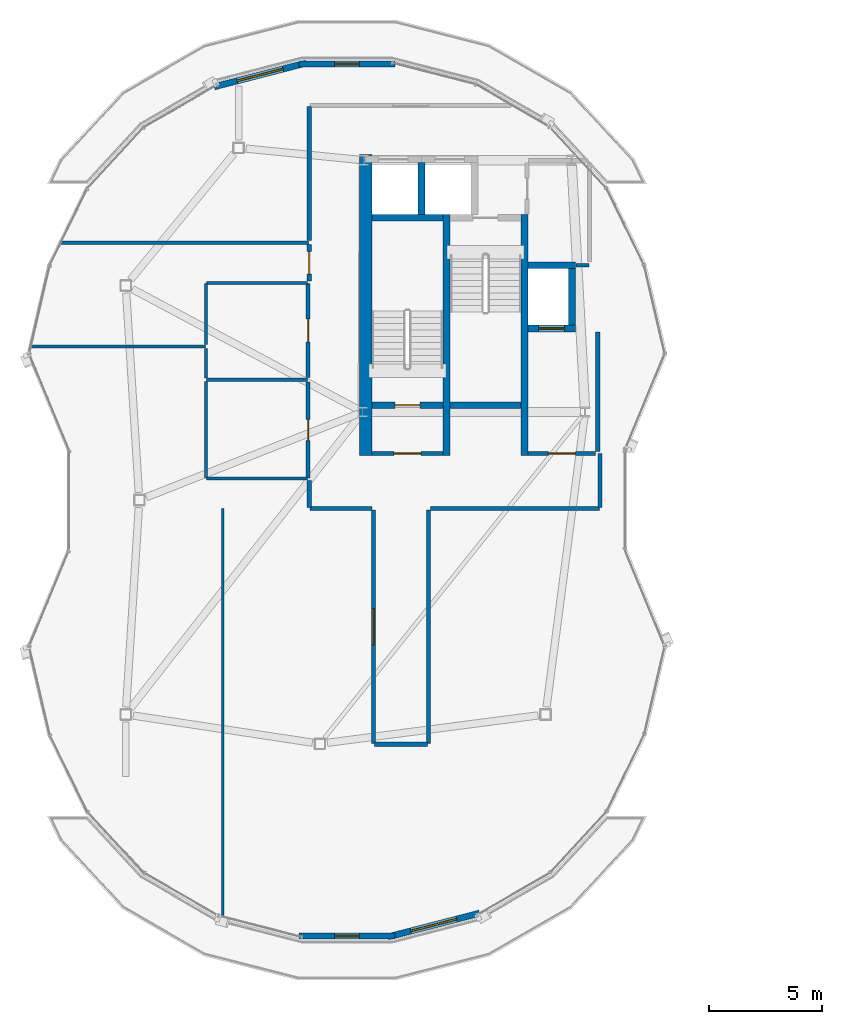
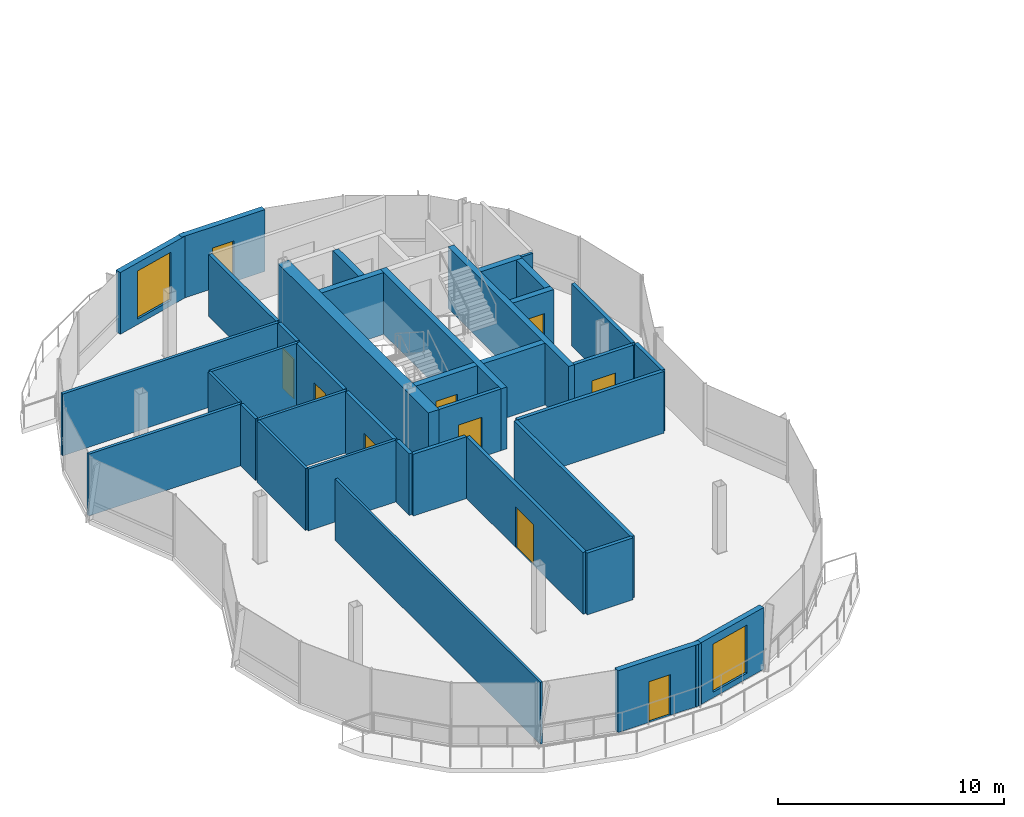
# One storey, part 12 of 20: 38 walls, 10 doors, 2 windows, 12 openings.
"""IFC4 building model written with IfcOpenShell, lengths in metres."""

from ifc_helpers import new_model, si_unit, direction, frame, frame_2d, origin, place, context, subcontext, project, spatial, rectangle, extrude, material, layer, layer_set, type_object, element, fill, save


model = new_model("IFC4")

# Units and contexts
model_context = context("Model", 3, precision=1e-05, world=origin(), true_north=direction((0.0, 1.0)))
body_context = subcontext(model_context, "Body", "Model", "MODEL_VIEW")
ifc_project = project(units=[si_unit("LENGTHUNIT", "METRE"), si_unit("AREAUNIT", "SQUARE_METRE"), si_unit("VOLUMEUNIT", "CUBIC_METRE"), si_unit("PLANEANGLEUNIT", "RADIAN"), si_unit("MASSUNIT", "GRAM", prefix="KILO"), si_unit("THERMODYNAMICTEMPERATUREUNIT", "KELVIN"), si_unit("POWERUNIT", "WATT")], contexts=[model_context])

# Site, building, storey
site_placement = place(None, origin())
site = spatial("IfcSite", under=ifc_project, at=site_placement, CompositionType="ELEMENT")
building_placement = place(site_placement, origin())
building = spatial("IfcBuilding", under=site, at=building_placement, Name="Cundina Bronze Exchange", CompositionType="ELEMENT")
storey_placement = place(building_placement, frame((0.0, 0.0, 282.800048828125)))
storey = spatial("IfcBuildingStorey", under=building, at=storey_placement, Name="L75", CompositionType="ELEMENT", Elevation=282.800048828125)

# Wall
ifc_material_1 = material(Name="Gypsum Fireboard Partition EI120")
ifc_layer_1 = layer(ifc_material_1, 0.179931640625, Name="Gypsum Fireboard Partition EI120")
ifc_layer_set_1 = layer_set([ifc_layer_1], Name="Gypsum Fireboard Partition EI120")
wall_type_1 = type_object("IfcWallType", Name="WL-COR-180", PredefinedType="PARTITIONING", material=ifc_layer_set_1)
wall_1_placement = place(storey_placement, frame((-20.889892578125, 2.14990234375, 0.0), z_axis=(0.0, 0.0, 1.0), x_axis=(0.0, 1.0, 0.0)))
element("IfcWall", 1, at=wall_1_placement, inside=storey, type_object=wall_type_1, Name="L75 W Firefighting Lobby Side Wall", PredefinedType="PARTITIONING", context=body_context, shape_type="SweptSolid", body=[
    extrude(rectangle(XDim=5.300048828125, YDim=0.179931640625, at=frame_2d((2.64990234375, 0.0))), origin(), (0.0, 0.0, 1.0), 3.33984375),
])

# Wall, opening, door
wall_2_placement = place(storey_placement, frame((-23.97998046875, 2.06005859375, 0.0), z_axis=(0.0, 0.0, 1.0), x_axis=(1.0, 0.0, 0.0)))
wall_2 = element("IfcWall", 2, at=wall_2_placement, inside=storey, type_object=wall_type_1, Name="L75 W Firefighting Lobby Exit Wall", PredefinedType="PARTITIONING", context=body_context, shape_type="SweptSolid", body=[
    extrude(rectangle(XDim=3.0, YDim=0.179931640625, at=frame_2d((1.5, 0.0))), origin(), (0.0, 0.0, 1.0), 3.33984375),
])
opening_1_placement = place(wall_2_placement, frame((0.89990234375, 0.0, 0.0)))
opening_1 = element("IfcOpeningElement", 3, at=opening_1_placement, cuts=wall_2, Name="Opening DF-01", PredefinedType="OPENING", context=body_context, shape_type="SweptSolid", body=[
    extrude(rectangle(XDim=1.199951171875, YDim=2.14990234375, at=frame_2d((0.60009765625, 1.074951171875))), frame((0.0, 0.099853515625, 0.0), z_axis=(0.0, -1.0, 0.0), x_axis=(1.0, 0.0, 0.0)), (0.0, 0.0, 1.0), 0.199951171875),
])
ifc_material_2 = material(Name="Steel ASTM A36 Painted", Category="steel")
door_type_1 = type_object("IfcDoorType", Name="DR-FFL-1200", OperationType="NOTDEFINED", PredefinedType="DOOR", material=ifc_material_2)
door_1_placement = place(opening_1_placement, origin())
door_1 = element("IfcDoor", 4, at=door_1_placement, inside=storey, type_object=door_type_1, Name="L75 W Firefighting Lobby Door", OperationType="SINGLE_SWING_RIGHT", OverallHeight=2.14990234375, OverallWidth=1.199951171875, PredefinedType="DOOR", context=body_context, shape_type="SweptSolid", body=[
    extrude(rectangle(XDim=1.199951171875, YDim=2.14990234375, at=frame_2d((0.60009765625, 1.074951171875))), frame((0.0, 0.02490234375, 0.0), z_axis=(0.0, -1.0, 0.0), x_axis=(1.0, 0.0, 0.0)), (0.0, 0.0, 1.0), 0.050048828125),
])
fill(opening_1, door_1)

wall_3_placement = place(storey_placement, frame((-30.89990234375, 2.06005859375, 0.0), z_axis=(0.0, 0.0, 1.0), x_axis=(1.0, 0.0, 0.0)))
wall_3 = element("IfcWall", 5, at=wall_3_placement, inside=storey, type_object=wall_type_1, Name="L75 W Stair Vestibule Exit Wall", PredefinedType="PARTITIONING", context=body_context, shape_type="SweptSolid", body=[
    extrude(rectangle(XDim=3.159912109375, YDim=0.179931640625, at=frame_2d((1.580078125, 0.0))), origin(), (0.0, 0.0, 1.0), 3.33984375),
])
opening_2_placement = place(wall_3_placement, frame((0.97998046875, 0.0, 0.0)))
opening_2 = element("IfcOpeningElement", 6, at=opening_2_placement, cuts=wall_3, Name="Opening DF-01", PredefinedType="OPENING", context=body_context, shape_type="SweptSolid", body=[
    extrude(rectangle(XDim=1.199951171875, YDim=2.14990234375, at=frame_2d((0.60009765625, 1.074951171875))), frame((0.0, 0.099853515625, 0.0), z_axis=(0.0, -1.0, 0.0), x_axis=(1.0, 0.0, 0.0)), (0.0, 0.0, 1.0), 0.199951171875),
])
door_2_placement = place(opening_2_placement, origin())
door_2 = element("IfcDoor", 7, at=door_2_placement, inside=storey, type_object=door_type_1, Name="L75 W Stair Vestibule Door", OperationType="SINGLE_SWING_LEFT", OverallHeight=2.14990234375, OverallWidth=1.199951171875, PredefinedType="DOOR", context=body_context, shape_type="SweptSolid", body=[
    extrude(rectangle(XDim=1.199951171875, YDim=2.14990234375, at=frame_2d((0.60009765625, 1.074951171875))), frame((0.0, 0.02490234375, 0.0), z_axis=(0.0, -1.0, 0.0), x_axis=(1.0, 0.0, 0.0)), (0.0, 0.0, 1.0), 0.050048828125),
])
fill(opening_2, door_2)

wall_4_placement = place(storey_placement, frame((-33.719970703125, 0.969970703125, 0.0), z_axis=(0.0, 0.0, 1.0), x_axis=(0.0, 1.0, 0.0)))
wall_4 = element("IfcWall", 8, at=wall_4_placement, inside=storey, type_object=wall_type_1, Name="L75 Interior Partition 011", PredefinedType="PARTITIONING", context=body_context, shape_type="SweptSolid", body=[
    extrude(rectangle(XDim=4.260009765625, YDim=0.179931640625, at=frame_2d((2.1298828125, 0.0))), origin(), (0.0, 0.0, 1.0), 3.33984375),
])
opening_3_placement = place(wall_4_placement, frame((1.655029296875, 0.0, 0.0)))
opening_3 = element("IfcOpeningElement", 9, at=opening_3_placement, cuts=wall_4, Name="Opening DW-01", PredefinedType="OPENING", context=body_context, shape_type="SweptSolid", body=[
    extrude(rectangle(XDim=0.949951171875, YDim=2.10009765625, at=frame_2d((0.47509765625, 1.050048828125))), frame((0.0, 0.099853515625, 0.0), z_axis=(0.0, -1.0, 0.0), x_axis=(1.0, 0.0, 0.0)), (0.0, 0.0, 1.0), 0.199951171875),
])
ifc_material_3 = material(Name="Solid Andean Oak Timber Grade A", Category="wood")
door_type_2 = type_object("IfcDoorType", Name="DR-WC-950", OperationType="NOTDEFINED", PredefinedType="DOOR", material=ifc_material_3)
door_3_placement = place(opening_3_placement, origin())
door_3 = element("IfcDoor", 10, at=door_3_placement, inside=storey, type_object=door_type_2, Name="L75 Interior Door 011", OperationType="SINGLE_SWING_LEFT", OverallHeight=2.10009765625, OverallWidth=0.949951171875, PredefinedType="DOOR", context=body_context, shape_type="SweptSolid", body=[
    extrude(rectangle(XDim=0.949951171875, YDim=2.10009765625, at=frame_2d((0.47509765625, 1.050048828125))), frame((0.0, 0.02490234375, 0.0), z_axis=(0.0, -1.0, 0.0), x_axis=(1.0, 0.0, 0.0)), (0.0, 0.0, 1.0), 0.050048828125),
])
fill(opening_3, door_3)

wall_5_placement = place(storey_placement, frame((-33.719970703125, 5.429931640625, 0.0), z_axis=(0.0, 0.0, 1.0), x_axis=(0.0, 1.0, 0.0)))
wall_5 = element("IfcWall", 11, at=wall_5_placement, inside=storey, type_object=wall_type_1, Name="L75 Interior Partition 012", PredefinedType="PARTITIONING", context=body_context, shape_type="SweptSolid", body=[
    extrude(rectangle(XDim=4.16015625, YDim=0.179931640625, at=frame_2d((2.080078125, 0.0))), origin(), (0.0, 0.0, 1.0), 3.33984375),
])
opening_4_placement = place(wall_5_placement, frame((1.580078125, 0.0, 0.0)))
opening_4 = element("IfcOpeningElement", 12, at=opening_4_placement, cuts=wall_5, Name="Opening DO-01", PredefinedType="OPENING", context=body_context, shape_type="SweptSolid", body=[
    extrude(rectangle(XDim=1.0, YDim=2.14990234375, at=frame_2d((0.5, 1.074951171875))), frame((0.0, 0.099853515625, 0.0), z_axis=(0.0, -1.0, 0.0), x_axis=(1.0, 0.0, 0.0)), (0.0, 0.0, 1.0), 0.199951171875),
])
door_type_3 = type_object("IfcDoorType", Name="DR-OFF-1000", OperationType="NOTDEFINED", PredefinedType="DOOR", material=ifc_material_3)
door_4_placement = place(opening_4_placement, origin())
door_4 = element("IfcDoor", 13, at=door_4_placement, inside=storey, type_object=door_type_3, Name="L75 Interior Door 012", OperationType="SINGLE_SWING_LEFT", OverallHeight=2.14990234375, OverallWidth=1.0, PredefinedType="DOOR", context=body_context, shape_type="SweptSolid", body=[
    extrude(rectangle(XDim=1.0, YDim=2.14990234375, at=frame_2d((0.5, 1.074951171875))), frame((0.0, 0.02490234375, 0.0), z_axis=(0.0, -1.0, 0.0), x_axis=(1.0, 0.0, 0.0)), (0.0, 0.0, 1.0), 0.050048828125),
])
fill(opening_4, door_4)

wall_6_placement = place(storey_placement, frame((-30.820068359375, -0.449951171875, 0.0), z_axis=(0.0, 0.0, 1.0), x_axis=(0.0, -1.0, 0.0)))
wall_6 = element("IfcWall", 14, at=wall_6_placement, inside=storey, type_object=wall_type_1, Name="L75 Interior Partition 016", PredefinedType="PARTITIONING", context=body_context, shape_type="SweptSolid", body=[
    extrude(rectangle(XDim=10.32861328125, YDim=0.179931640625, at=frame_2d((5.164306640625, 0.0))), origin(), (0.0, 0.0, 1.0), 3.33984375),
])
opening_5_placement = place(wall_6_placement, frame((4.3642578125, 0.0, 0.0)))
opening_5 = element("IfcOpeningElement", 15, at=opening_5_placement, cuts=wall_6, Name="Opening DO-02", PredefinedType="OPENING", context=body_context, shape_type="SweptSolid", body=[
    extrude(rectangle(XDim=1.60009765625, YDim=2.199951171875, at=frame_2d((0.800048828125, 1.10009765625))), frame((0.0, 0.099853515625, 0.0), z_axis=(0.0, -1.0, 0.0), x_axis=(1.0, 0.0, 0.0)), (0.0, 0.0, 1.0), 0.199951171875),
])
door_type_4 = type_object("IfcDoorType", Name="DR-TRD-1600", OperationType="NOTDEFINED", PredefinedType="DOOR", material=ifc_material_3)
door_5_placement = place(opening_5_placement, origin())
door_5 = element("IfcDoor", 16, at=door_5_placement, inside=storey, type_object=door_type_4, Name="L75 Interior Door 016", OperationType="SINGLE_SWING_LEFT", OverallHeight=2.199951171875, OverallWidth=1.60009765625, PredefinedType="DOOR", context=body_context, shape_type="SweptSolid", body=[
    extrude(rectangle(XDim=1.60009765625, YDim=2.199951171875, at=frame_2d((0.800048828125, 1.10009765625))), frame((0.0, 0.02490234375, 0.0), z_axis=(0.0, -1.0, 0.0), x_axis=(1.0, 0.0, 0.0)), (0.0, 0.0, 1.0), 0.050048828125),
])
fill(opening_5, door_5)

# Walls
wall_7_placement = place(storey_placement, frame((-28.3798828125, -10.778564453125, 0.0), z_axis=(0.0, 0.0, 1.0), x_axis=(0.0, 1.0, 0.0)))
element("IfcWall", 17, at=wall_7_placement, inside=storey, type_object=wall_type_1, Name="L75 Interior Partition 017", PredefinedType="PARTITIONING", context=body_context, shape_type="SweptSolid", body=[
    extrude(rectangle(XDim=10.32861328125, YDim=0.179931640625, at=frame_2d((5.164306640625, 0.0))), origin(), (0.0, 0.0, 1.0), 3.33984375),
])
wall_8_placement = place(storey_placement, frame((-28.300048828125, -0.3701171875, 0.0), z_axis=(0.0, 0.0, 1.0), x_axis=(1.0, 0.0, 0.0)))
element("IfcWall", 18, at=wall_8_placement, inside=storey, type_object=wall_type_1, Name="L75 Interior Partition 018", PredefinedType="PARTITIONING", context=body_context, shape_type="SweptSolid", body=[
    extrude(rectangle(XDim=7.478515625, YDim=0.179931640625, at=frame_2d((3.7392578125, 0.0))), origin(), (0.0, 0.0, 1.0), 3.33984375),
])
wall_9_placement = place(storey_placement, frame((-33.62841796875, -0.3701171875, 0.0), z_axis=(0.0, 0.0, 1.0), x_axis=(1.0, 0.0, 0.0)))
element("IfcWall", 19, at=wall_9_placement, inside=storey, type_object=wall_type_1, Name="L75 Interior Partition 019", PredefinedType="PARTITIONING", context=body_context, shape_type="SweptSolid", body=[
    extrude(rectangle(XDim=2.728515625, YDim=0.179931640625, at=frame_2d((1.3642578125, 0.0))), origin(), (0.0, 0.0, 1.0), 3.33984375),
])
wall_10_placement = place(storey_placement, frame((-20.780029296875, -0.32861328125, 0.0), z_axis=(0.0, 0.0, 1.0), x_axis=(0.0, 1.0, 0.0)))
element("IfcWall", 20, at=wall_10_placement, inside=storey, type_object=wall_type_1, Name="L75 Interior Partition 020", PredefinedType="PARTITIONING", context=body_context, shape_type="SweptSolid", body=[
    extrude(rectangle(XDim=2.38720703125, YDim=0.179931640625, at=frame_2d((1.193603515625, 0.0))), origin(), (0.0, 0.0, 1.0), 3.33984375),
])
wall_11_placement = place(storey_placement, frame((-30.778564453125, -10.820068359375, 0.0), z_axis=(0.0, 0.0, 1.0), x_axis=(1.0, 0.0, 0.0)))
element("IfcWall", 21, at=wall_11_placement, inside=storey, type_object=wall_type_1, Name="L75 Interior Partition 021", PredefinedType="PARTITIONING", context=body_context, shape_type="SweptSolid", body=[
    extrude(rectangle(XDim=2.357177734375, YDim=0.179931640625, at=frame_2d((1.1787109375, 0.0))), origin(), (0.0, 0.0, 1.0), 3.33984375),
])
wall_12_placement = place(storey_placement, frame((-33.669921875, 0.858642578125, 0.0), z_axis=(0.0, 0.0, 1.0), x_axis=(0.0, -1.0, 0.0)))
element("IfcWall", 22, at=wall_12_placement, inside=storey, type_object=wall_type_1, Name="L75 Interior Partition 022", PredefinedType="PARTITIONING", context=body_context, shape_type="SweptSolid", body=[
    extrude(rectangle(XDim=1.187255859375, YDim=0.179931640625, at=frame_2d((0.59375, 0.0))), origin(), (0.0, 0.0, 1.0), 3.33984375),
])

# Wall, opening, door
wall_13_placement = place(storey_placement, frame((-33.669921875, 11.31005859375, 0.0), z_axis=(0.0, 0.0, 1.0), x_axis=(0.0, -1.0, 0.0)))
wall_13 = element("IfcWall", 23, at=wall_13_placement, inside=storey, type_object=wall_type_1, Name="L75 Interior Partition 023", PredefinedType="PARTITIONING", context=body_context, shape_type="SweptSolid", body=[
    extrude(rectangle(XDim=1.608642578125, YDim=0.179931640625, at=frame_2d((0.80419921875, 0.0))), origin(), (0.0, 0.0, 1.0), 3.33984375),
])
opening_6_placement = place(wall_13_placement, frame((0.30419921875, 0.0, 0.0)))
opening_6 = element("IfcOpeningElement", 24, at=opening_6_placement, cuts=wall_13, Name="Opening DO-01", PredefinedType="OPENING", context=body_context, shape_type="SweptSolid", body=[
    extrude(rectangle(XDim=1.0, YDim=2.14990234375, at=frame_2d((0.5, 1.074951171875))), frame((0.0, 0.099853515625, 0.0), z_axis=(0.0, -1.0, 0.0), x_axis=(1.0, 0.0, 0.0)), (0.0, 0.0, 1.0), 0.199951171875),
])
door_6_placement = place(opening_6_placement, origin())
door_6 = element("IfcDoor", 25, at=door_6_placement, inside=storey, type_object=door_type_3, Name="L75 Interior Door 023", OperationType="SINGLE_SWING_RIGHT", OverallHeight=2.14990234375, OverallWidth=1.0, PredefinedType="DOOR", context=body_context, shape_type="SweptSolid", body=[
    extrude(rectangle(XDim=1.0, YDim=2.14990234375, at=frame_2d((0.5, 1.074951171875))), frame((0.0, 0.02490234375, 0.0), z_axis=(0.0, -1.0, 0.0), x_axis=(1.0, 0.0, 0.0)), (0.0, 0.0, 1.0), 0.050048828125),
])
fill(opening_6, door_6)

# Walls
wall_14_placement = place(storey_placement, frame((-33.669921875, 17.428466796875, 0.0), z_axis=(0.0, 0.0, 1.0), x_axis=(0.0, -1.0, 0.0)))
element("IfcWall", 26, at=wall_14_placement, inside=storey, type_object=wall_type_1, Name="L75 Interior Partition 025", PredefinedType="PARTITIONING", context=body_context, shape_type="SweptSolid", body=[
    extrude(rectangle(XDim=5.9384765625, YDim=0.179931640625, at=frame_2d((2.96923828125, 0.0))), origin(), (0.0, 0.0, 1.0), 3.33984375),
])
ifc_material_4 = material(Name="Concrete C50/60", Category="concrete")
ifc_layer_2 = layer(ifc_material_4, 0.550048828125, Name="Concrete C50/60", Category="concrete")
ifc_layer_set_2 = layer_set([ifc_layer_2], Name="Concrete C50/60")
wall_type_2 = type_object("IfcWallType", Name="WL-CORE-550", PredefinedType="SHEAR", material=ifc_layer_set_2)
wall_15_placement = place(storey_placement, frame((-31.175048828125, 1.969970703125, 0.0), z_axis=(0.0, 0.0, 1.0), x_axis=(0.0, 1.0, 0.0)))
element("IfcWall", 27, at=wall_15_placement, inside=storey, type_object=wall_type_2, Name="L75 W Primary Core Shear Spine Wall", PredefinedType="SHEAR", context=body_context, shape_type="SweptSolid", body=[
    extrude(rectangle(XDim=13.330078125, YDim=0.550048828125, at=frame_2d((6.6650390625, 0.0))), origin(), (0.0, 0.0, 1.0), 3.33984375),
])

# Wall, opening, door
ifc_material_5 = material(Name="Precast Concrete C45/55", Category="concrete")
ifc_layer_3 = layer(ifc_material_5, 0.280029296875, Name="Precast Concrete C45/55", Category="concrete")
ifc_layer_set_3 = layer_set([ifc_layer_3], Name="Precast Concrete C45/55")
wall_type_3 = type_object("IfcWallType", Name="WL-EXT-280", PredefinedType="SOLIDWALL", material=ifc_layer_set_3)
wall_16_placement = place(storey_placement, frame((-29.875244140625, 19.31787109375, 0.0), z_axis=(0.0, 0.0, 1.0), x_axis=(-1.0, 0.0, 0.0)))
wall_16 = element("IfcWall", 28, at=wall_16_placement, inside=storey, type_object=wall_type_3, Name="L75 Leg W Crown Terrace Wall 06", PredefinedType="SOLIDWALL", context=body_context, shape_type="SweptSolid", body=[
    extrude(rectangle(XDim=4.24951171875, YDim=0.280029296875, at=frame_2d((2.124755859375, 0.0))), origin(), (0.0, 0.0, 1.0), 3.33984375),
])
opening_7_placement = place(wall_16_placement, frame((1.574951171875, 0.0, 0.0)))
opening_7 = element("IfcOpeningElement", 29, at=opening_7_placement, cuts=wall_16, Name="Opening DT-01", PredefinedType="OPENING", context=body_context, shape_type="SweptSolid", body=[
    extrude(rectangle(XDim=1.10009765625, YDim=2.199951171875, at=frame_2d((0.550048828125, 1.10009765625))), frame((0.0, 0.14990234375, 0.0), z_axis=(0.0, -1.0, 0.0), x_axis=(1.0, 0.0, 0.0)), (0.0, 0.0, 1.0), 0.300048828125),
])
ifc_material_6 = material(Name="Anodised Bronze Aluminium 6063-T6", Category="aluminium")
door_type_5 = type_object("IfcDoorType", Name="DR-TER-1100", OperationType="NOTDEFINED", PredefinedType="DOOR", material=ifc_material_6)
door_7_placement = place(opening_7_placement, origin())
door_7 = element("IfcDoor", 30, at=door_7_placement, inside=storey, type_object=door_type_5, Name="L75 Leg W Planted Terrace Access Door 06", OperationType="SINGLE_SWING_LEFT", OverallHeight=2.199951171875, OverallWidth=1.10009765625, PredefinedType="DOOR", context=body_context, shape_type="SweptSolid", body=[
    extrude(rectangle(XDim=1.10009765625, YDim=2.199951171875, at=frame_2d((0.550048828125, 1.10009765625))), frame((0.0, 0.02490234375, 0.0), z_axis=(0.0, -1.0, 0.0), x_axis=(1.0, 0.0, 0.0)), (0.0, 0.0, 1.0), 0.050048828125),
])
fill(opening_7, door_7)

# Wall, opening, window
wall_17_placement = place(storey_placement, frame((-33.809814453125, 19.35791015625, 0.0), z_axis=(0.0, 0.0, 1.0), x_axis=(-0.968211504127, -0.250132931211, 0.0)))
wall_17 = element("IfcWall", 31, at=wall_17_placement, inside=storey, type_object=wall_type_3, Name="L75 Leg W Crown Feature Wall 07", PredefinedType="SOLIDWALL", context=body_context, shape_type="SweptSolid", body=[
    extrude(rectangle(XDim=4.199951171875, YDim=0.280029296875, at=frame_2d((2.10009765625, 0.0))), origin(), (0.0, 0.0, 1.0), 3.33984375),
])
opening_8_placement = place(wall_17_placement, frame((1.050048828125, 0.0, 0.300048828125)))
opening_8 = element("IfcOpeningElement", 32, at=opening_8_placement, cuts=wall_17, Name="Opening W-04", PredefinedType="OPENING", context=body_context, shape_type="SweptSolid", body=[
    extrude(rectangle(XDim=2.10009765625, YDim=2.60009765625, at=frame_2d((1.050048828125, 1.300048828125))), frame((0.0, 0.14990234375, 0.0), z_axis=(0.0, -1.0, 0.0), x_axis=(1.0, 0.0, 0.0)), (0.0, 0.0, 1.0), 0.300048828125),
])
ifc_material_7 = material(Name="Clear Low-E Insulating Glass 26mm", Category="glass")
window_type = type_object("IfcWindowType", Name="WN-CRN-2100", PartitioningType="SINGLE_PANEL", PredefinedType="WINDOW", material=ifc_material_7)
window_1_placement = place(opening_8_placement, origin())
window_1 = element("IfcWindow", 33, at=window_1_placement, inside=storey, type_object=window_type, Name="L75 Leg W Crown Pavilion Window 07", OverallHeight=2.60009765625, OverallWidth=2.10009765625, PartitioningType="SINGLE_PANEL", PredefinedType="WINDOW", context=body_context, shape_type="SweptSolid", body=[
    extrude(rectangle(XDim=2.10009765625, YDim=2.60009765625, at=frame_2d((1.050048828125, 1.300048828125))), frame((0.0, 0.030029296875, 0.0), z_axis=(0.0, -1.0, 0.0), x_axis=(1.0, 0.0, 0.0)), (0.0, 0.0, 1.0), 0.06005859375),
])
fill(opening_8, window_1)

# Wall, opening, door
wall_18_placement = place(storey_placement, frame((-34.124755859375, -19.31787109375, 0.0), z_axis=(0.0, 0.0, 1.0), x_axis=(1.0, 0.0, 0.0)))
wall_18 = element("IfcWall", 34, at=wall_18_placement, inside=storey, type_object=wall_type_3, Name="L75 Leg W Crown Terrace Wall 20", PredefinedType="SOLIDWALL", context=body_context, shape_type="SweptSolid", body=[
    extrude(rectangle(XDim=4.24951171875, YDim=0.280029296875, at=frame_2d((2.124755859375, 0.0))), origin(), (0.0, 0.0, 1.0), 3.33984375),
])
opening_9_placement = place(wall_18_placement, frame((1.574951171875, 0.0, 0.0)))
opening_9 = element("IfcOpeningElement", 35, at=opening_9_placement, cuts=wall_18, Name="Opening DT-01", PredefinedType="OPENING", context=body_context, shape_type="SweptSolid", body=[
    extrude(rectangle(XDim=1.10009765625, YDim=2.199951171875, at=frame_2d((0.550048828125, 1.10009765625))), frame((0.0, 0.14990234375, 0.0), z_axis=(0.0, -1.0, 0.0), x_axis=(1.0, 0.0, 0.0)), (0.0, 0.0, 1.0), 0.300048828125),
])
door_8_placement = place(opening_9_placement, origin())
door_8 = element("IfcDoor", 36, at=door_8_placement, inside=storey, type_object=door_type_5, Name="L75 Leg W Planted Terrace Access Door 20", OperationType="SINGLE_SWING_RIGHT", OverallHeight=2.199951171875, OverallWidth=1.10009765625, PredefinedType="DOOR", context=body_context, shape_type="SweptSolid", body=[
    extrude(rectangle(XDim=1.10009765625, YDim=2.199951171875, at=frame_2d((0.550048828125, 1.10009765625))), frame((0.0, 0.02490234375, 0.0), z_axis=(0.0, -1.0, 0.0), x_axis=(1.0, 0.0, 0.0)), (0.0, 0.0, 1.0), 0.050048828125),
])
fill(opening_9, door_8)

# Wall, opening, window
wall_19_placement = place(storey_placement, frame((-30.190185546875, -19.35791015625, 0.0), z_axis=(0.0, 0.0, 1.0), x_axis=(0.968211504127, 0.250132931211, 0.0)))
wall_19 = element("IfcWall", 37, at=wall_19_placement, inside=storey, type_object=wall_type_3, Name="L75 Leg W Crown Feature Wall 21", PredefinedType="SOLIDWALL", context=body_context, shape_type="SweptSolid", body=[
    extrude(rectangle(XDim=4.199951171875, YDim=0.280029296875, at=frame_2d((2.10009765625, 0.0))), origin(), (0.0, 0.0, 1.0), 3.33984375),
])
opening_10_placement = place(wall_19_placement, frame((1.050048828125, 0.0, 0.300048828125)))
opening_10 = element("IfcOpeningElement", 38, at=opening_10_placement, cuts=wall_19, Name="Opening W-04", PredefinedType="OPENING", context=body_context, shape_type="SweptSolid", body=[
    extrude(rectangle(XDim=2.10009765625, YDim=2.60009765625, at=frame_2d((1.050048828125, 1.300048828125))), frame((0.0, 0.14990234375, 0.0), z_axis=(0.0, -1.0, 0.0), x_axis=(1.0, 0.0, 0.0)), (0.0, 0.0, 1.0), 0.300048828125),
])
window_2_placement = place(opening_10_placement, origin())
window_2 = element("IfcWindow", 39, at=window_2_placement, inside=storey, type_object=window_type, Name="L75 Leg W Crown Pavilion Window 21", OverallHeight=2.60009765625, OverallWidth=2.10009765625, PartitioningType="SINGLE_PANEL", PredefinedType="WINDOW", context=body_context, shape_type="SweptSolid", body=[
    extrude(rectangle(XDim=2.10009765625, YDim=2.60009765625, at=frame_2d((1.050048828125, 1.300048828125))), frame((0.0, 0.030029296875, 0.0), z_axis=(0.0, -1.0, 0.0), x_axis=(1.0, 0.0, 0.0)), (0.0, 0.0, 1.0), 0.06005859375),
])
fill(opening_10, window_2)

# Walls
ifc_material_8 = material(Name="Gypsum Acoustic Partition EI60")
ifc_layer_4 = layer(ifc_material_8, 0.125, Name="Gypsum Acoustic Partition EI60")
ifc_layer_set_4 = layer_set([ifc_layer_4], Name="Gypsum Acoustic Partition EI60")
wall_type_4 = type_object("IfcWallType", Name="WL-OFF-125", PredefinedType="PARTITIONING", material=ifc_layer_set_4)
wall_20_placement = place(storey_placement, frame((-37.5, -18.518310546875, 0.0), z_axis=(0.0, 0.0, 1.0), x_axis=(0.0, 1.0, 0.0)))
element("IfcWall", 40, at=wall_20_placement, inside=storey, type_object=wall_type_4, Name="L75 Interior Partition 013", PredefinedType="PARTITIONING", context=body_context, shape_type="SweptSolid", body=[
    extrude(rectangle(XDim=18.148193359375, YDim=0.125, at=frame_2d((9.07421875, 0.0))), origin(), (0.0, 0.0, 1.0), 3.33984375),
])
ifc_layer_5 = layer(ifc_material_4, 0.300048828125, Name="Concrete C50/60", Category="concrete")
ifc_layer_set_5 = layer_set([ifc_layer_5], Name="Concrete C50/60")
wall_type_5 = type_object("IfcWallType", Name="WL-SHFT-300", PredefinedType="SHEAR", material=ifc_layer_set_5)
for number, where, z_axis, x_axis, name in (
    (41, (-27.590087890625, 1.969970703125, 0.0), (0.0, 0.0, 1.0), (0.0, 1.0, 0.0), "L75 W Stair Shaft Dividing Shear Wall"),
    (42, (-24.1298828125, 1.969970703125, 0.0), (0.0, 0.0, 1.0), (0.0, 1.0, 0.0), "L75 W Stair 2 East Shear Wall"),
):
    element("IfcWall", number, at=place(storey_placement, frame(where, z_axis=z_axis, x_axis=x_axis)), inside=storey, type_object=wall_type_5, Name=name, PredefinedType="SHEAR", context=body_context, shape_type="SweptSolid", body=[
        extrude(rectangle(XDim=10.679931640625, YDim=0.300048828125, at=frame_2d((5.33984375, 0.0))), origin(), (0.0, 0.0, 1.0), 3.33984375),
    ])

# Wall, opening, door
wall_21_placement = place(storey_placement, frame((-30.89990234375, 4.199951171875, 0.0), z_axis=(0.0, 0.0, 1.0), x_axis=(1.0, 0.0, 0.0)))
wall_21 = element("IfcWall", 43, at=wall_21_placement, inside=storey, type_object=wall_type_5, Name="L75 Stair W1 Landing Wall", PredefinedType="SHEAR", context=body_context, shape_type="SweptSolid", body=[
    extrude(rectangle(XDim=3.159912109375, YDim=0.300048828125, at=frame_2d((1.580078125, 0.0))), origin(), (0.0, 0.0, 1.0), 3.33984375),
])
opening_11_placement = place(wall_21_placement, frame((1.030029296875, 0.0, 0.0)))
opening_11 = element("IfcOpeningElement", 44, at=opening_11_placement, cuts=wall_21, Name="Opening DS-01", PredefinedType="OPENING", context=body_context, shape_type="SweptSolid", body=[
    extrude(rectangle(XDim=1.10009765625, YDim=2.14990234375, at=frame_2d((0.550048828125, 1.074951171875))), frame((0.0, 0.159912109375, 0.0), z_axis=(0.0, -1.0, 0.0), x_axis=(1.0, 0.0, 0.0)), (0.0, 0.0, 1.0), 0.320068359375),
])
door_type_6 = type_object("IfcDoorType", Name="DR-STR-1100", OperationType="NOTDEFINED", PredefinedType="DOOR", material=ifc_material_2)
door_9_placement = place(opening_11_placement, origin())
door_9 = element("IfcDoor", 45, at=door_9_placement, inside=storey, type_object=door_type_6, Name="L75 Smokeproof Stair W1 Door", OperationType="SINGLE_SWING_RIGHT", OverallHeight=2.14990234375, OverallWidth=1.10009765625, PredefinedType="DOOR", context=body_context, shape_type="SweptSolid", body=[
    extrude(rectangle(XDim=1.10009765625, YDim=2.14990234375, at=frame_2d((0.550048828125, 1.074951171875))), frame((0.0, 0.02490234375, 0.0), z_axis=(0.0, -1.0, 0.0), x_axis=(1.0, 0.0, 0.0)), (0.0, 0.0, 1.0), 0.050048828125),
])
fill(opening_11, door_9)

# Walls
for number, where, z_axis, x_axis, name in (
    (46, (-30.89990234375, 12.5, 0.0), (0.0, 0.0, 1.0), (1.0, 0.0, 0.0), "L75 Stair W1 Far Shaft Wall"),
    (47, (-27.43994140625, 4.199951171875, 0.0), (0.0, 0.0, 1.0), (1.0, 0.0, 0.0), "L75 Stair W2 Far Shaft Wall"),
):
    element("IfcWall", number, at=place(storey_placement, frame(where, z_axis=z_axis, x_axis=x_axis)), inside=storey, type_object=wall_type_5, Name=name, PredefinedType="SHEAR", context=body_context, shape_type="SweptSolid", body=[
        extrude(rectangle(XDim=3.159912109375, YDim=0.300048828125, at=frame_2d((1.580078125, 0.0))), origin(), (0.0, 0.0, 1.0), 3.33984375),
    ])

# Wall, opening, door
wall_22_placement = place(storey_placement, frame((-23.97998046875, 7.60009765625, 0.0), z_axis=(0.0, 0.0, 1.0), x_axis=(1.0, 0.0, 0.0)))
wall_22 = element("IfcWall", 48, at=wall_22_placement, inside=storey, type_object=wall_type_5, Name="L75 FFL-W Hoistway Front Wall", PredefinedType="SHEAR", context=body_context, shape_type="SweptSolid", body=[
    extrude(rectangle(XDim=2.10009765625, YDim=0.300048828125, at=frame_2d((1.050048828125, 0.0))), origin(), (0.0, 0.0, 1.0), 3.33984375),
])
opening_12_placement = place(wall_22_placement, frame((0.47509765625, 0.0, 0.0)))
opening_12 = element("IfcOpeningElement", 49, at=opening_12_placement, cuts=wall_22, Name="Opening LD-01", PredefinedType="OPENING", context=body_context, shape_type="SweptSolid", body=[
    extrude(rectangle(XDim=1.14990234375, YDim=2.199951171875, at=frame_2d((0.574951171875, 1.10009765625))), frame((0.0, 0.159912109375, 0.0), z_axis=(0.0, -1.0, 0.0), x_axis=(1.0, 0.0, 0.0)), (0.0, 0.0, 1.0), 0.320068359375),
])
door_type_7 = type_object("IfcDoorType", Name="DR-LND-1150", OperationType="NOTDEFINED", PredefinedType="TRAPDOOR", material=ifc_material_2)
door_10_placement = place(opening_12_placement, origin())
door_10 = element("IfcDoor", 50, at=door_10_placement, inside=storey, type_object=door_type_7, Name="L75 FFL-W Sliding Landing Door", OperationType="SLIDING_TO_LEFT", OverallHeight=2.199951171875, OverallWidth=1.14990234375, PredefinedType="TRAPDOOR", context=body_context, shape_type="SweptSolid", body=[
    extrude(rectangle(XDim=1.14990234375, YDim=2.199951171875, at=frame_2d((0.574951171875, 1.10009765625))), frame((0.0, 0.02490234375, 0.0), z_axis=(0.0, -1.0, 0.0), x_axis=(1.0, 0.0, 0.0)), (0.0, 0.0, 1.0), 0.050048828125),
])
fill(opening_12, door_10)

# Walls
wall_23_placement = place(storey_placement, frame((-23.97998046875, 10.39990234375, 0.0), z_axis=(0.0, 0.0, 1.0), x_axis=(1.0, 0.0, 0.0)))
element("IfcWall", 51, at=wall_23_placement, inside=storey, type_object=wall_type_5, Name="L75 FFL-W Hoistway Back Wall", PredefinedType="SHEAR", context=body_context, shape_type="SweptSolid", body=[
    extrude(rectangle(XDim=2.10009765625, YDim=0.300048828125, at=frame_2d((1.050048828125, 0.0))), origin(), (0.0, 0.0, 1.0), 3.33984375),
])
wall_24_placement = place(storey_placement, frame((-22.030029296875, 7.75, 0.0), z_axis=(0.0, 0.0, 1.0), x_axis=(0.0, 1.0, 0.0)))
element("IfcWall", 52, at=wall_24_placement, inside=storey, type_object=wall_type_5, Name="L75 FFL-W Hoistway Side Wall", PredefinedType="SHEAR", context=body_context, shape_type="SweptSolid", body=[
    extrude(rectangle(XDim=2.5, YDim=0.300048828125, at=frame_2d((1.25, 0.0))), origin(), (0.0, 0.0, 1.0), 3.33984375),
])
wall_25_placement = place(storey_placement, frame((-28.699951171875, 12.64990234375, 0.0), z_axis=(0.0, 0.0, 1.0), x_axis=(0.0, 1.0, 0.0)))
element("IfcWall", 53, at=wall_25_placement, inside=storey, type_object=wall_type_5, Name="L75 PH-W1 Hoistway Divider Wall", PredefinedType="SHEAR", context=body_context, shape_type="SweptSolid", body=[
    extrude(rectangle(XDim=2.300048828125, YDim=0.300048828125, at=frame_2d((1.14990234375, 0.0))), origin(), (0.0, 0.0, 1.0), 3.33984375),
])
ifc_layer_6 = layer(ifc_material_8, 0.14990234375, Name="Gypsum Acoustic Partition EI60")
ifc_layer_set_6 = layer_set([ifc_layer_6], Name="Gypsum Acoustic Partition EI60")
wall_type_6 = type_object("IfcWallType", Name="WL-TEN-150", PredefinedType="PARTITIONING", material=ifc_layer_set_6)
wall_26_placement = place(storey_placement, frame((-46.05810546875, 6.800048828125, 0.0), z_axis=(0.0, 0.0, 1.0), x_axis=(1.0, 0.0, 0.0)))
element("IfcWall", 54, at=wall_26_placement, inside=storey, type_object=wall_type_6, Name="L75 Interior Partition 014", PredefinedType="PARTITIONING", context=body_context, shape_type="SweptSolid", body=[
    extrude(rectangle(XDim=7.7880859375, YDim=0.14990234375, at=frame_2d((3.89404296875, 0.0))), origin(), (0.0, 0.0, 1.0), 3.33984375),
])
wall_27_placement = place(storey_placement, frame((-44.7373046875, 11.39990234375, 0.0), z_axis=(0.0, 0.0, 1.0), x_axis=(1.0, 0.0, 0.0)))
element("IfcWall", 55, at=wall_27_placement, inside=storey, type_object=wall_type_6, Name="L75 Interior Partition 015", PredefinedType="PARTITIONING", context=body_context, shape_type="SweptSolid", body=[
    extrude(rectangle(XDim=11.037353515625, YDim=0.14990234375, at=frame_2d((5.5185546875, 0.0))), origin(), (0.0, 0.0, 1.0), 3.33984375),
])
ifc_material_9 = material(Name="Moisture-Resistant Masonry Block Grade M15", Category="masonry")
ifc_layer_7 = layer(ifc_material_9, 0.139892578125, Name="Moisture-Resistant Masonry Block Grade M15", Category="masonry")
ifc_layer_set_7 = layer_set([ifc_layer_7], Name="Moisture-Resistant Masonry Block Grade M15")
wall_type_7 = type_object("IfcWallType", Name="WL-WET-140", PredefinedType="PARTITIONING", material=ifc_layer_set_7)
wall_28_placement = place(storey_placement, frame((-21.860107421875, 10.39990234375, 0.0), z_axis=(0.0, 0.0, 1.0), x_axis=(1.0, 0.0, 0.0)))
element("IfcWall", 56, at=wall_28_placement, inside=storey, type_object=wall_type_7, Name="L75 Interior Partition 001", PredefinedType="PARTITIONING", context=body_context, shape_type="SweptSolid", body=[
    extrude(rectangle(XDim=0.590087890625, YDim=0.139892578125, at=frame_2d((0.294921875, 0.0))), origin(), (0.0, 0.0, 1.0), 3.33984375),
])
wall_29_placement = place(storey_placement, frame((-38.239990234375, 0.969970703125, 0.0), z_axis=(0.0, 0.0, 1.0), x_axis=(0.0, 1.0, 0.0)))
element("IfcWall", 57, at=wall_29_placement, inside=storey, type_object=wall_type_7, Name="L75 Interior Partition 005", PredefinedType="PARTITIONING", context=body_context, shape_type="SweptSolid", body=[
    extrude(rectangle(XDim=4.275146484375, YDim=0.139892578125, at=frame_2d((2.1376953125, 0.0))), origin(), (0.0, 0.0, 1.0), 3.33984375),
])
wall_30_placement = place(storey_placement, frame((-38.239990234375, 5.4150390625, 0.0), z_axis=(0.0, 0.0, 1.0), x_axis=(0.0, 1.0, 0.0)))
element("IfcWall", 58, at=wall_30_placement, inside=storey, type_object=wall_type_7, Name="L75 Interior Partition 006", PredefinedType="PARTITIONING", context=body_context, shape_type="SweptSolid", body=[
    extrude(rectangle(XDim=1.300048828125, YDim=0.139892578125, at=frame_2d((0.64990234375, 0.0))), origin(), (0.0, 0.0, 1.0), 3.33984375),
])
wall_31_placement = place(storey_placement, frame((-38.239990234375, 6.885009765625, 0.0), z_axis=(0.0, 0.0, 1.0), x_axis=(0.0, 1.0, 0.0)))
element("IfcWall", 59, at=wall_31_placement, inside=storey, type_object=wall_type_7, Name="L75 Interior Partition 007", PredefinedType="PARTITIONING", context=body_context, shape_type="SweptSolid", body=[
    extrude(rectangle(XDim=2.705078125, YDim=0.139892578125, at=frame_2d((1.3525390625, 0.0))), origin(), (0.0, 0.0, 1.0), 3.33984375),
])
for number, where, z_axis, x_axis, name in (
    (60, (-38.219970703125, 0.949951171875, 0.0), (0.0, 0.0, 1.0), (1.0, 0.0, 0.0), "L75 Interior Partition 008"),
    (61, (-38.219970703125, 5.330078125, 0.0), (0.0, 0.0, 1.0), (1.0, 0.0, 0.0), "L75 Interior Partition 009"),
    (62, (-38.219970703125, 9.610107421875, 0.0), (0.0, 0.0, 1.0), (1.0, 0.0, 0.0), "L75 Interior Partition 010"),
):
    element("IfcWall", number, at=place(storey_placement, frame(where, z_axis=z_axis, x_axis=x_axis)), inside=storey, type_object=wall_type_7, Name=name, PredefinedType="PARTITIONING", context=body_context, shape_type="SweptSolid", body=[
        extrude(rectangle(XDim=4.47998046875, YDim=0.139892578125, at=frame_2d((2.239990234375, 0.0))), origin(), (0.0, 0.0, 1.0), 3.33984375),
    ])

save(model, "model.ifc")
